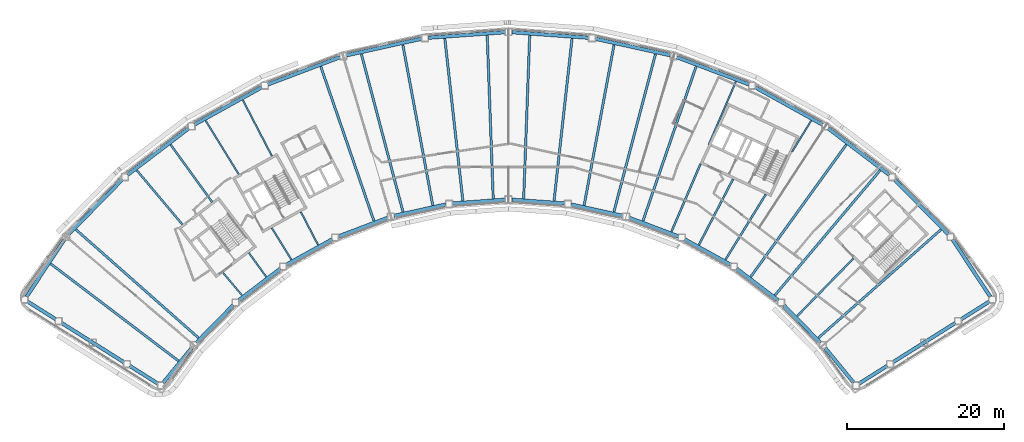
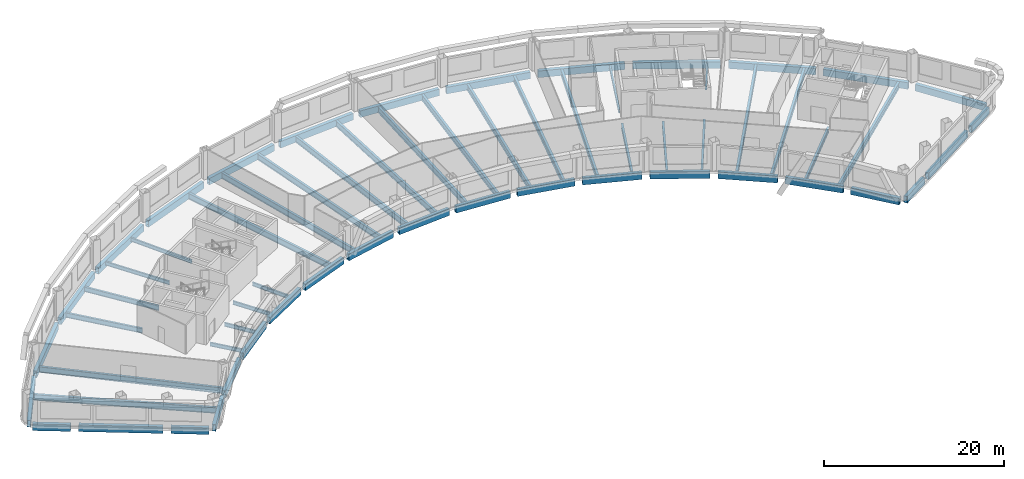
# One storey, part 3 of 12: 63 beams.
"""IFC4 building model written with IfcOpenShell, lengths in metres."""

from ifc_helpers import new_model, si_unit, direction, frame, origin, origin_2d, place, context, subcontext, project, spatial, hollow_rectangle, i_section, extrude, material, material_profile, profile_set, type_object, element, save


model = new_model("IFC4")

# Units and contexts
model_context = context("Model", 3, precision=1e-05, world=origin(), true_north=direction((0.0, 1.0)))
body_context = subcontext(model_context, "Body", "Model", "MODEL_VIEW")
ifc_project = project(units=[si_unit("LENGTHUNIT", "METRE"), si_unit("AREAUNIT", "SQUARE_METRE"), si_unit("VOLUMEUNIT", "CUBIC_METRE"), si_unit("PLANEANGLEUNIT", "RADIAN"), si_unit("MASSUNIT", "GRAM", prefix="KILO")], contexts=[model_context])

# Site, building, storey
site_placement = place(None, origin())
site = spatial("IfcSite", under=ifc_project, at=site_placement, CompositionType="ELEMENT")
building_placement = place(site_placement, origin())
building = spatial("IfcBuilding", under=site, at=building_placement, Name="Tuul Gate Civic Tower", CompositionType="ELEMENT")
storey_placement = place(building_placement, frame((0.0, 0.0, 193.10009765625)))
storey = spatial("IfcBuildingStorey", under=building, at=storey_placement, Name="Level 44", CompositionType="ELEMENT", Elevation=193.10009765625)

# Beams
ifc_material_1 = material(Name="Steel S355", Category="steel")
ifc_material_profile_1 = material_profile(ifc_material_1, i_section(OverallWidth=0.199951171875, OverallDepth=0.5, WebThickness=0.010009765625, FlangeThickness=0.01611328125, at=origin_2d()), Name="PG500x200x10x16")
ifc_profile_set_1 = profile_set([ifc_material_profile_1], Name="Steel S355")
beam_type_1 = type_object("IfcBeamType", Name="STR-FLOOR BEAM-PG500x200x10x16", PredefinedType="BEAM", material=ifc_profile_set_1)
beam_1_placement = place(storey_placement, frame((37.12646484375, -1.677734375, -0.550048828125), z_axis=(0.524844644299, 0.85119803768, 0.0), x_axis=(-0.85119803768, 0.524844644299, 0.0)))
element("IfcBeam", 1, at=beam_1_placement, inside=storey, type_object=beam_type_1, Name="Floor beam", PredefinedType="BEAM", context=body_context, shape_type="SweptSolid", body=[
    extrude(i_section(OverallWidth=0.199951171875, OverallDepth=0.5, WebThickness=0.010009765625, FlangeThickness=0.01611328125, at=origin_2d()), origin(), (0.0, 0.0, 1.0), 4.683837890625),
])
beam_2_placement = place(storey_placement, frame((26.525390625, -0.75048828125, -0.550048828125), z_axis=(0.394205580746, 0.919022284882, 0.0), x_axis=(-0.919022284882, 0.394205580746, 0.0)))
element("IfcBeam", 2, at=beam_2_placement, inside=storey, type_object=beam_type_1, Name="Floor beam", PredefinedType="BEAM", context=body_context, shape_type="SweptSolid", body=[
    extrude(i_section(OverallWidth=0.199951171875, OverallDepth=0.5, WebThickness=0.010009765625, FlangeThickness=0.01611328125, at=origin_2d()), origin(), (0.0, 0.0, 1.0), 8.748046875),
])
beam_3_placement = place(storey_placement, frame((-23.281494140625, -13.532958984375, -0.550048828125), z_axis=(-0.460788847224, 0.887509796157, 0.0), x_axis=(-0.887509796157, -0.460788847224, 0.0)))
element("IfcBeam", 3, at=beam_3_placement, inside=storey, type_object=beam_type_1, Name="Floor beam", PredefinedType="BEAM", context=body_context, shape_type="SweptSolid", body=[
    extrude(i_section(OverallWidth=0.199951171875, OverallDepth=0.5, WebThickness=0.010009765625, FlangeThickness=0.01611328125, at=origin_2d()), origin(), (0.0, 0.0, 1.0), 4.75830078125),
])
beam_4_placement = place(storey_placement, frame((-29.16162109375, -2.207275390625, -0.550048828125), z_axis=(-0.460778504814, 0.887515165787, 0.0), x_axis=(-0.887515165787, -0.460778504814, 0.0)))
element("IfcBeam", 4, at=beam_4_placement, inside=storey, type_object=beam_type_1, Name="Floor beam", PredefinedType="BEAM", context=body_context, shape_type="SweptSolid", body=[
    extrude(i_section(OverallWidth=0.199951171875, OverallDepth=0.5, WebThickness=0.010009765625, FlangeThickness=0.01611328125, at=origin_2d()), origin(), (0.0, 0.0, 1.0), 8.046630859375),
])
beam_5_placement = place(storey_placement, frame((-26.676513671875, -15.414306640625, -0.550048828125), z_axis=(-0.524841029393, 0.851200266603, 0.0), x_axis=(-0.851200266603, -0.524841029393, 0.0)))
element("IfcBeam", 5, at=beam_5_placement, inside=storey, type_object=beam_type_1, Name="Floor beam", PredefinedType="BEAM", context=body_context, shape_type="SweptSolid", body=[
    extrude(i_section(OverallWidth=0.199951171875, OverallDepth=0.5, WebThickness=0.010009765625, FlangeThickness=0.01611328125, at=origin_2d()), origin(), (0.0, 0.0, 1.0), 4.761474609375),
])
beam_6_placement = place(storey_placement, frame((-33.378662109375, -4.544677734375, -0.550048828125), z_axis=(-0.52487369229, 0.851180126143, 0.0), x_axis=(-0.851180126143, -0.52487369229, 0.0)))
element("IfcBeam", 6, at=beam_6_placement, inside=storey, type_object=beam_type_1, Name="Floor beam", PredefinedType="BEAM", context=body_context, shape_type="SweptSolid", body=[
    extrude(i_section(OverallWidth=0.199951171875, OverallDepth=0.5, WebThickness=0.010009765625, FlangeThickness=0.01611328125, at=origin_2d()), origin(), (0.0, 0.0, 1.0), 8.052001953125),
])
beam_7_placement = place(storey_placement, frame((-29.880126953125, -17.60546875, -0.550048828125), z_axis=(-0.586071028006, 0.810259680678, 0.0), x_axis=(-0.810259680678, -0.586071028006, 0.0)))
element("IfcBeam", 7, at=beam_7_placement, inside=storey, type_object=beam_type_1, Name="Floor beam", PredefinedType="BEAM", context=body_context, shape_type="SweptSolid", body=[
    extrude(i_section(OverallWidth=0.199951171875, OverallDepth=0.5, WebThickness=0.010009765625, FlangeThickness=0.01611328125, at=origin_2d()), origin(), (0.0, 0.0, 1.0), 3.776611328125),
])
beam_8_placement = place(storey_placement, frame((-32.96826171875, -19.95703125, -0.550048828125), z_axis=(-0.644139723265, 0.764907848641, 0.0), x_axis=(-0.764907848641, -0.644139723265, 0.0)))
element("IfcBeam", 8, at=beam_8_placement, inside=storey, type_object=beam_type_1, Name="Floor beam", PredefinedType="BEAM", context=body_context, shape_type="SweptSolid", body=[
    extrude(i_section(OverallWidth=0.199951171875, OverallDepth=0.5, WebThickness=0.010009765625, FlangeThickness=0.01611328125, at=origin_2d()), origin(), (0.0, 0.0, 1.0), 3.7802734375),
])
ifc_material_2 = material(Name="Steel S355", Category="steel")
ifc_material_profile_2 = material_profile(ifc_material_2, i_section(OverallWidth=0.25, OverallDepth=0.64990234375, WebThickness=0.011962890625, FlangeThickness=0.02001953125, at=origin_2d()), Name="PG650x250x12x20")
ifc_profile_set_2 = profile_set([ifc_material_profile_2], Name="Steel S355")
beam_type_2 = type_object("IfcBeamType", Name="STR-FLOOR BEAM-PG650x250x12x20", PredefinedType="BEAM", material=ifc_profile_set_2)
beam_9_placement = place(storey_placement, frame((37.78857421875, -22.6025390625, -0.625), z_axis=(0.698688167973, 0.715426337182, 0.0), x_axis=(-0.715426337182, 0.698688167973, 0.0)))
element("IfcBeam", 9, at=beam_9_placement, inside=storey, type_object=beam_type_2, Name="Floor beam", PredefinedType="BEAM", context=body_context, shape_type="SweptSolid", body=[
    extrude(i_section(OverallWidth=0.25, OverallDepth=0.64990234375, WebThickness=0.011962890625, FlangeThickness=0.02001953125, at=origin_2d()), origin(), (0.0, 0.0, 1.0), 10.297607421875),
])
beam_10_placement = place(storey_placement, frame((28.656005859375, -15.41455078125, -0.625), z_axis=(0.524868843882, 0.851183115858, 0.0), x_axis=(-0.851183115858, 0.524868843882, 0.0)))
element("IfcBeam", 10, at=beam_10_placement, inside=storey, type_object=beam_type_2, Name="Floor beam", PredefinedType="BEAM", context=body_context, shape_type="SweptSolid", body=[
    extrude(i_section(OverallWidth=0.25, OverallDepth=0.64990234375, WebThickness=0.011962890625, FlangeThickness=0.02001953125, at=origin_2d()), origin(), (0.0, 0.0, 1.0), 9.79736328125),
])
beam_11_placement = place(storey_placement, frame((25.261474609375, -13.532958984375, -0.625), z_axis=(0.460764890878, 0.887522233713, 0.0), x_axis=(-0.887522233713, 0.460764890878, 0.0)))
element("IfcBeam", 11, at=beam_11_placement, inside=storey, type_object=beam_type_2, Name="Floor beam", PredefinedType="BEAM", context=body_context, shape_type="SweptSolid", body=[
    extrude(i_section(OverallWidth=0.25, OverallDepth=0.64990234375, WebThickness=0.011962890625, FlangeThickness=0.02001953125, at=origin_2d()), origin(), (0.0, 0.0, 1.0), 9.46923828125),
])
beam_12_placement = place(storey_placement, frame((21.7666015625, -11.84521484375, -0.625), z_axis=(0.394179109601, 0.919033638968, 0.0), x_axis=(-0.919033638968, 0.394179109601, 0.0)))
element("IfcBeam", 12, at=beam_12_placement, inside=storey, type_object=beam_type_2, Name="Floor beam", PredefinedType="BEAM", context=body_context, shape_type="SweptSolid", body=[
    extrude(i_section(OverallWidth=0.25, OverallDepth=0.64990234375, WebThickness=0.011962890625, FlangeThickness=0.02001953125, at=origin_2d()), origin(), (0.0, 0.0, 1.0), 9.41259765625),
])
beam_13_placement = place(storey_placement, frame((-36.783447265625, -8.061767578125, -0.625), z_axis=(-0.586088809685, 0.810246818668, 0.0), x_axis=(-0.810246818668, -0.586088809685, 0.0)))
element("IfcBeam", 13, at=beam_13_placement, inside=storey, type_object=beam_type_2, Name="Floor beam", PredefinedType="BEAM", context=body_context, shape_type="SweptSolid", body=[
    extrude(i_section(OverallWidth=0.25, OverallDepth=0.64990234375, WebThickness=0.011962890625, FlangeThickness=0.02001953125, at=origin_2d()), origin(), (0.0, 0.0, 1.0), 9.02685546875),
])
beam_14_placement = place(storey_placement, frame((-40.5625, -10.93896484375, -0.625), z_axis=(-0.644130753202, 0.764915402368, 0.0), x_axis=(-0.764915402368, -0.644130753202, 0.0)))
element("IfcBeam", 14, at=beam_14_placement, inside=storey, type_object=beam_type_2, Name="Floor beam", PredefinedType="BEAM", context=body_context, shape_type="SweptSolid", body=[
    extrude(i_section(OverallWidth=0.25, OverallDepth=0.64990234375, WebThickness=0.011962890625, FlangeThickness=0.02001953125, at=origin_2d()), origin(), (0.0, 0.0, 1.0), 9.03515625),
])
ifc_material_3 = material(Name="Steel S355", Category="steel")
ifc_material_profile_3 = material_profile(ifc_material_3, i_section(OverallWidth=0.300048828125, OverallDepth=0.800048828125, WebThickness=0.013916015625, FlangeThickness=0.02490234375, at=origin_2d()), Name="PG800x300x14x25")
ifc_profile_set_3 = profile_set([ifc_material_profile_3], Name="Steel S355")
beam_type_3 = type_object("IfcBeamType", Name="STR-FLOOR BEAM-PG800x300x14x25", PredefinedType="BEAM", material=ifc_profile_set_3)
beam_15_placement = place(storey_placement, frame((40.505615234375, -25.375, -0.7001953125), z_axis=(0.749453243269, 0.662057275584, 0.0), x_axis=(-0.662057275584, 0.749453243269, 0.0)))
element("IfcBeam", 15, at=beam_15_placement, inside=storey, type_object=beam_type_3, Name="Floor beam", PredefinedType="BEAM", context=body_context, shape_type="SweptSolid", body=[
    extrude(i_section(OverallWidth=0.300048828125, OverallDepth=0.800048828125, WebThickness=0.013916015625, FlangeThickness=0.02490234375, at=origin_2d()), origin(), (0.0, 0.0, 1.0), 20.828369140625),
])
beam_16_placement = place(storey_placement, frame((34.9482421875, -19.95703125, -0.7001953125), z_axis=(0.644134662718, 0.76491211017, 0.0), x_axis=(-0.76491211017, 0.644134662718, 0.0)))
element("IfcBeam", 16, at=beam_16_placement, inside=storey, type_object=beam_type_3, Name="Floor beam", PredefinedType="BEAM", context=body_context, shape_type="SweptSolid", body=[
    extrude(i_section(OverallWidth=0.300048828125, OverallDepth=0.800048828125, WebThickness=0.013916015625, FlangeThickness=0.02490234375, at=origin_2d()), origin(), (0.0, 0.0, 1.0), 20.824462890625),
])
beam_17_placement = place(storey_placement, frame((31.859619140625, -17.605712890625, -0.7001953125), z_axis=(0.586088482084, 0.810247055637, 0.0), x_axis=(-0.810247055637, 0.586088482084, 0.0)))
element("IfcBeam", 17, at=beam_17_placement, inside=storey, type_object=beam_type_3, Name="Floor beam", PredefinedType="BEAM", context=body_context, shape_type="SweptSolid", body=[
    extrude(i_section(OverallWidth=0.300048828125, OverallDepth=0.800048828125, WebThickness=0.013916015625, FlangeThickness=0.02490234375, at=origin_2d()), origin(), (0.0, 0.0, 1.0), 20.805908203125),
])
beam_18_placement = place(storey_placement, frame((18.13623046875, -10.472412109375, -0.7001953125), z_axis=(0.325483363772, 0.945547767121, 0.0), x_axis=(-0.945547767121, 0.325483363772, 0.0)))
element("IfcBeam", 18, at=beam_18_placement, inside=storey, type_object=beam_type_3, Name="Floor beam", PredefinedType="BEAM", context=body_context, shape_type="SweptSolid", body=[
    extrude(i_section(OverallWidth=0.300048828125, OverallDepth=0.800048828125, WebThickness=0.013916015625, FlangeThickness=0.02490234375, at=origin_2d()), origin(), (0.0, 0.0, 1.0), 20.8095703125),
])
beam_19_placement = place(storey_placement, frame((14.428466796875, -9.325927734375, -0.7001953125), z_axis=(0.255004720301, 0.96693980817, 0.0), x_axis=(-0.96693980817, 0.255004720301, 0.0)))
element("IfcBeam", 19, at=beam_19_placement, inside=storey, type_object=beam_type_3, Name="Floor beam", PredefinedType="BEAM", context=body_context, shape_type="SweptSolid", body=[
    extrude(i_section(OverallWidth=0.300048828125, OverallDepth=0.800048828125, WebThickness=0.013916015625, FlangeThickness=0.02490234375, at=origin_2d()), origin(), (0.0, 0.0, 1.0), 20.817626953125),
])
beam_20_placement = place(storey_placement, frame((10.638427734375, -8.49072265625, -0.7001953125), z_axis=(0.183147342328, 0.98308547492, 0.0), x_axis=(-0.98308547492, 0.183147342328, 0.0)))
element("IfcBeam", 20, at=beam_20_placement, inside=storey, type_object=beam_type_3, Name="Floor beam", PredefinedType="BEAM", context=body_context, shape_type="SweptSolid", body=[
    extrude(i_section(OverallWidth=0.300048828125, OverallDepth=0.800048828125, WebThickness=0.013916015625, FlangeThickness=0.02490234375, at=origin_2d()), origin(), (0.0, 0.0, 1.0), 20.811279296875),
])
beam_21_placement = place(storey_placement, frame((6.80126953125, -7.91064453125, -0.7001953125), z_axis=(0.1102757583, 0.993901029847, 0.0), x_axis=(-0.993901029847, 0.1102757583, 0.0)))
element("IfcBeam", 21, at=beam_21_placement, inside=storey, type_object=beam_type_3, Name="Floor beam", PredefinedType="BEAM", context=body_context, shape_type="SweptSolid", body=[
    extrude(i_section(OverallWidth=0.300048828125, OverallDepth=0.800048828125, WebThickness=0.013916015625, FlangeThickness=0.02490234375, at=origin_2d()), origin(), (0.0, 0.0, 1.0), 20.815185546875),
])
for number, where, z_axis, x_axis, name in (
    (22, (2.930419921875, -7.630126953125, -0.7001953125), (0.036820332995, 0.99932190163, 0.0), (-0.99932190163, 0.036820332995, 0.0), "Floor beam"),
    (23, (-0.950439453125, -7.630126953125, -0.7001953125), (-0.036832047042, 0.999321469954, 0.0), (-0.999321469954, -0.036832047042, 0.0), "Floor beam"),
):
    element("IfcBeam", number, at=place(storey_placement, frame(where, z_axis=z_axis, x_axis=x_axis)), inside=storey, type_object=beam_type_3, Name=name, PredefinedType="BEAM", context=body_context, shape_type="SweptSolid", body=[
        extrude(i_section(OverallWidth=0.300048828125, OverallDepth=0.800048828125, WebThickness=0.013916015625, FlangeThickness=0.02490234375, at=origin_2d()), origin(), (0.0, 0.0, 1.0), 20.8134765625),
    ])
beam_22_placement = place(storey_placement, frame((-4.8212890625, -7.91064453125, -0.7001953125), z_axis=(-0.110287344613, 0.993899744249, 0.0), x_axis=(-0.993899744249, -0.110287344613, 0.0)))
element("IfcBeam", 24, at=beam_22_placement, inside=storey, type_object=beam_type_3, Name="Floor beam", PredefinedType="BEAM", context=body_context, shape_type="SweptSolid", body=[
    extrude(i_section(OverallWidth=0.300048828125, OverallDepth=0.800048828125, WebThickness=0.013916015625, FlangeThickness=0.02490234375, at=origin_2d()), origin(), (0.0, 0.0, 1.0), 20.815185546875),
])
beam_23_placement = place(storey_placement, frame((-8.658447265625, -8.49072265625, -0.7001953125), z_axis=(-0.183145230157, 0.983085868412, 0.0), x_axis=(-0.983085868412, -0.183145230157, 0.0)))
element("IfcBeam", 25, at=beam_23_placement, inside=storey, type_object=beam_type_3, Name="Floor beam", PredefinedType="BEAM", context=body_context, shape_type="SweptSolid", body=[
    extrude(i_section(OverallWidth=0.300048828125, OverallDepth=0.800048828125, WebThickness=0.013916015625, FlangeThickness=0.02490234375, at=origin_2d()), origin(), (0.0, 0.0, 1.0), 20.8115234375),
])
beam_24_placement = place(storey_placement, frame((-12.44873046875, -9.325927734375, -0.7001953125), z_axis=(-0.255004720301, 0.96693980817, 0.0), x_axis=(-0.96693980817, -0.255004720301, 0.0)))
element("IfcBeam", 26, at=beam_24_placement, inside=storey, type_object=beam_type_3, Name="Floor beam", PredefinedType="BEAM", context=body_context, shape_type="SweptSolid", body=[
    extrude(i_section(OverallWidth=0.300048828125, OverallDepth=0.800048828125, WebThickness=0.013916015625, FlangeThickness=0.02490234375, at=origin_2d()), origin(), (0.0, 0.0, 1.0), 20.817626953125),
])
beam_25_placement = place(storey_placement, frame((-16.15625, -10.47265625, -0.7001953125), z_axis=(-0.325493852911, 0.945544156408, 0.0), x_axis=(-0.945544156408, -0.325493852911, 0.0)))
element("IfcBeam", 27, at=beam_25_placement, inside=storey, type_object=beam_type_3, Name="Floor beam", PredefinedType="BEAM", context=body_context, shape_type="SweptSolid", body=[
    extrude(i_section(OverallWidth=0.300048828125, OverallDepth=0.800048828125, WebThickness=0.013916015625, FlangeThickness=0.02490234375, at=origin_2d()), origin(), (0.0, 0.0, 1.0), 20.809814453125),
])
beam_26_placement = place(storey_placement, frame((-38.525634765625, -25.375, -0.7001953125), z_axis=(-0.749453243269, 0.662057275584, 0.0), x_axis=(-0.662057275584, -0.749453243269, 0.0)))
element("IfcBeam", 28, at=beam_26_placement, inside=storey, type_object=beam_type_3, Name="Floor beam", PredefinedType="BEAM", context=body_context, shape_type="SweptSolid", body=[
    extrude(i_section(OverallWidth=0.300048828125, OverallDepth=0.800048828125, WebThickness=0.013916015625, FlangeThickness=0.02490234375, at=origin_2d()), origin(), (0.0, 0.0, 1.0), 20.828369140625),
])
beam_27_placement = place(storey_placement, frame((-41.064697265625, -28.31982421875, -0.7001953125), z_axis=(-0.796156676215, 0.60509052787, 0.0), x_axis=(-0.60509052787, -0.796156676215, 0.0)))
element("IfcBeam", 29, at=beam_27_placement, inside=storey, type_object=beam_type_3, Name="Floor beam", PredefinedType="BEAM", context=body_context, shape_type="SweptSolid", body=[
    extrude(i_section(OverallWidth=0.300048828125, OverallDepth=0.800048828125, WebThickness=0.013916015625, FlangeThickness=0.02490234375, at=origin_2d()), origin(), (0.0, 0.0, 1.0), 20.46240234375),
])
ifc_material_4 = material(Name="Steel S355", Category="steel")
ifc_material_profile_4 = material_profile(ifc_material_4, hollow_rectangle(XDim=0.449951171875, YDim=0.89990234375, WallThickness=0.02490234375, at=origin_2d()), Name="BOX900x450x25")
ifc_profile_set_4 = profile_set([ifc_material_profile_4], Name="Steel S355")
beam_type_4 = type_object("IfcBeamType", Name="STR-SPANDREL BEAM-BOX900x450x25", PredefinedType="BEAM", material=ifc_profile_set_4)
beam_28_placement = place(storey_placement, frame((62.412841796875, -20.1376953125, -0.75), z_axis=(-0.551603333342, 0.834106565521, 0.0), x_axis=(-0.834106565521, -0.551603333342, 0.0)))
element("IfcBeam", 30, at=beam_28_placement, inside=storey, type_object=beam_type_4, Name="Spandrel beam", PredefinedType="BEAM", context=body_context, shape_type="SweptSolid", body=[
    extrude(hollow_rectangle(XDim=0.449951171875, YDim=0.89990234375, WallThickness=0.02490234375, at=origin_2d()), origin(), (0.0, 0.0, 1.0), 8.706787109375),
])
beam_29_placement = place(storey_placement, frame((57.046875, -12.1787109375, -0.75), z_axis=(-0.700043201451, 0.7141004944, 0.0), x_axis=(-0.7141004944, -0.700043201451, 0.0)))
element("IfcBeam", 31, at=beam_29_placement, inside=storey, type_object=beam_type_4, Name="Spandrel beam", PredefinedType="BEAM", context=body_context, shape_type="SweptSolid", body=[
    extrude(hollow_rectangle(XDim=0.449951171875, YDim=0.89990234375, WallThickness=0.02490234375, at=origin_2d()), origin(), (0.0, 0.0, 1.0), 9.77783203125),
])
for number, where, z_axis, x_axis, name in (
    (32, (49.529052734375, -4.602294921875, -0.75), (-0.795643188576, 0.605765562303, 0.0), (-0.605765562303, -0.795643188576, 0.0), "Spandrel beam"),
    (33, (40.99853515625, 1.811279296875, -0.75), (-0.874595083596, 0.484854039634, 0.0), (-0.484854039634, -0.874595083596, 0.0), "Spandrel beam"),
):
    element("IfcBeam", number, at=place(storey_placement, frame(where, z_axis=z_axis, x_axis=x_axis)), inside=storey, type_object=beam_type_4, Name=name, PredefinedType="BEAM", context=body_context, shape_type="SweptSolid", body=[
        extrude(hollow_rectangle(XDim=0.449951171875, YDim=0.89990234375, WallThickness=0.02490234375, at=origin_2d()), origin(), (0.0, 0.0, 1.0), 9.777099609375),
    ])
beam_30_placement = place(storey_placement, frame((31.633056640625, 6.92919921875, -0.75), z_axis=(-0.935371339929, 0.353667154878, 0.0), x_axis=(-0.353667154878, -0.935371339929, 0.0)))
element("IfcBeam", 34, at=beam_30_placement, inside=storey, type_object=beam_type_4, Name="Spandrel beam", PredefinedType="BEAM", context=body_context, shape_type="SweptSolid", body=[
    extrude(hollow_rectangle(XDim=0.449951171875, YDim=0.89990234375, WallThickness=0.02490234375, at=origin_2d()), origin(), (0.0, 0.0, 1.0), 9.77685546875),
])
beam_31_placement = place(storey_placement, frame((21.62744140625, 10.642822265625, -0.75), z_axis=(-0.976570324129, 0.215198517722, 0.0), x_axis=(-0.215198517722, -0.976570324129, 0.0)))
element("IfcBeam", 35, at=beam_31_placement, inside=storey, type_object=beam_type_4, Name="Spandrel beam", PredefinedType="BEAM", context=body_context, shape_type="SweptSolid", body=[
    extrude(hollow_rectangle(XDim=0.449951171875, YDim=0.89990234375, WallThickness=0.02490234375, at=origin_2d()), origin(), (0.0, 0.0, 1.0), 9.778076171875),
])
beam_32_placement = place(storey_placement, frame((11.190185546875, 12.87646484375, -0.75), z_axis=(-0.997381821188, 0.07231530104, 0.0), x_axis=(-0.07231530104, -0.997381821188, 0.0)))
element("IfcBeam", 36, at=beam_32_placement, inside=storey, type_object=beam_type_4, Name="Spandrel beam", PredefinedType="BEAM", context=body_context, shape_type="SweptSolid", body=[
    extrude(hollow_rectangle(XDim=0.449951171875, YDim=0.89990234375, WallThickness=0.02490234375, at=origin_2d()), origin(), (0.0, 0.0, 1.0), 9.777099609375),
])
beam_33_placement = place(storey_placement, frame((0.541259765625, 13.58349609375, -0.75), z_axis=(-0.997382343448, -0.072308097597, 0.0), x_axis=(0.072308097597, -0.997382343448, 0.0)))
element("IfcBeam", 37, at=beam_33_placement, inside=storey, type_object=beam_type_4, Name="Spandrel beam", PredefinedType="BEAM", context=body_context, shape_type="SweptSolid", body=[
    extrude(hollow_rectangle(XDim=0.449951171875, YDim=0.89990234375, WallThickness=0.02490234375, at=origin_2d()), origin(), (0.0, 0.0, 1.0), 9.778076171875),
])
for number, where, z_axis, x_axis, name in (
    (38, (-10.099365234375, 12.7470703125, -0.75), (-0.976565698355, -0.215219508403, 0.0), (0.215219508403, -0.976565698355, 0.0), "Spandrel beam"),
    (39, (-20.5078125, 10.386962890625, -0.75), (-0.935374463229, -0.35365889433, 0.0), (0.35365889433, -0.935374463229, 0.0), "Spandrel beam"),
    (40, (-30.467529296875, 6.5517578125, -0.75), (-0.874595083596, -0.484854039634, 0.0), (0.484854039634, -0.874595083596, 0.0), "Spandrel beam"),
):
    element("IfcBeam", number, at=place(storey_placement, frame(where, z_axis=z_axis, x_axis=x_axis)), inside=storey, type_object=beam_type_4, Name=name, PredefinedType="BEAM", context=body_context, shape_type="SweptSolid", body=[
        extrude(hollow_rectangle(XDim=0.449951171875, YDim=0.89990234375, WallThickness=0.02490234375, at=origin_2d()), origin(), (0.0, 0.0, 1.0), 9.777099609375),
    ])
beam_34_placement = place(storey_placement, frame((-39.77001953125, 1.3203125, -0.75), z_axis=(-0.795667802621, -0.605733231606, 0.0), x_axis=(0.605733231606, -0.795667802621, 0.0)))
element("IfcBeam", 41, at=beam_34_placement, inside=storey, type_object=beam_type_4, Name="Spandrel beam", PredefinedType="BEAM", context=body_context, shape_type="SweptSolid", body=[
    extrude(hollow_rectangle(XDim=0.449951171875, YDim=0.89990234375, WallThickness=0.02490234375, at=origin_2d()), origin(), (0.0, 0.0, 1.0), 9.778076171875),
])
beam_35_placement = place(storey_placement, frame((-48.222900390625, -5.1962890625, -0.75), z_axis=(-0.699992266311, -0.714150423304, 0.0), x_axis=(0.714150423304, -0.699992266311, 0.0)))
element("IfcBeam", 42, at=beam_35_placement, inside=storey, type_object=beam_type_4, Name="Spandrel beam", PredefinedType="BEAM", context=body_context, shape_type="SweptSolid", body=[
    extrude(hollow_rectangle(XDim=0.449951171875, YDim=0.89990234375, WallThickness=0.02490234375, at=origin_2d()), origin(), (0.0, 0.0, 1.0), 9.77734375),
])
beam_36_placement = place(storey_placement, frame((-55.630126953125, -12.875244140625, -0.75), z_axis=(-0.551603333342, -0.834106565521, 0.0), x_axis=(0.834106565521, -0.551603333342, 0.0)))
element("IfcBeam", 43, at=beam_36_placement, inside=storey, type_object=beam_type_4, Name="Spandrel beam", PredefinedType="BEAM", context=body_context, shape_type="SweptSolid", body=[
    extrude(hollow_rectangle(XDim=0.449951171875, YDim=0.89990234375, WallThickness=0.02490234375, at=origin_2d()), origin(), (0.0, 0.0, 1.0), 8.706787109375),
])
beam_37_placement = place(storey_placement, frame((-60.30029296875, -20.752685546875, -0.75), z_axis=(0.846210678029, -0.53284846663, 0.0), x_axis=(0.53284846663, 0.846210678029, 0.0)))
element("IfcBeam", 44, at=beam_37_placement, inside=storey, type_object=beam_type_4, Name="Spandrel beam", PredefinedType="BEAM", context=body_context, shape_type="SweptSolid", body=[
    extrude(hollow_rectangle(XDim=0.449951171875, YDim=0.89990234375, WallThickness=0.02490234375, at=origin_2d()), origin(), (0.0, 0.0, 1.0), 4.231201171875),
])
beam_38_placement = place(storey_placement, frame((-55.958251953125, -23.48681640625, -0.75), z_axis=(0.846197569515, -0.532869283545, 0.0), x_axis=(0.532869283545, 0.846197569515, 0.0)))
element("IfcBeam", 45, at=beam_38_placement, inside=storey, type_object=beam_type_4, Name="Spandrel beam", PredefinedType="BEAM", context=body_context, shape_type="SweptSolid", body=[
    extrude(hollow_rectangle(XDim=0.449951171875, YDim=0.89990234375, WallThickness=0.02490234375, at=origin_2d()), origin(), (0.0, 0.0, 1.0), 9.363525390625),
])
beam_39_placement = place(storey_placement, frame((-47.273193359375, -28.955810546875, -0.75), z_axis=(0.846181780982, -0.532894354947, 0.0), x_axis=(0.532894354947, 0.846181780982, 0.0)))
element("IfcBeam", 46, at=beam_39_placement, inside=storey, type_object=beam_type_4, Name="Spandrel beam", PredefinedType="BEAM", context=body_context, shape_type="SweptSolid", body=[
    extrude(hollow_rectangle(XDim=0.449951171875, YDim=0.89990234375, WallThickness=0.02490234375, at=origin_2d()), origin(), (0.0, 0.0, 1.0), 4.232421875),
])
beam_40_placement = place(storey_placement, frame((-43.025634765625, -31.10302734375, -0.75), z_axis=(0.63441351957, 0.772993846151, 0.0), x_axis=(-0.772993846151, 0.63441351957, 0.0)))
element("IfcBeam", 47, at=beam_40_placement, inside=storey, type_object=beam_type_4, Name="Spandrel beam", PredefinedType="BEAM", context=body_context, shape_type="SweptSolid", body=[
    extrude(hollow_rectangle(XDim=0.449951171875, YDim=0.89990234375, WallThickness=0.02490234375, at=origin_2d()), origin(), (0.0, 0.0, 1.0), 5.751953125),
])
beam_41_placement = place(storey_placement, frame((-38.776123046875, -25.987548828125, -0.75), z_axis=(0.699975106634, 0.714167242383, 0.0), x_axis=(-0.714167242383, 0.699975106634, 0.0)))
element("IfcBeam", 48, at=beam_41_placement, inside=storey, type_object=beam_type_4, Name="Spandrel beam", PredefinedType="BEAM", context=body_context, shape_type="SweptSolid", body=[
    extrude(hollow_rectangle(XDim=0.449951171875, YDim=0.89990234375, WallThickness=0.02490234375, at=origin_2d()), origin(), (0.0, 0.0, 1.0), 6.69189453125),
])
for number, where, z_axis, x_axis, name in (
    (49, (-33.4189453125, -20.614501953125, -0.75), (0.795605051583, 0.605815650091, 0.0), (-0.605815650091, 0.795605051583, 0.0), "Spandrel beam"),
    (50, (-27.343505859375, -16.06982421875, -0.75), (0.87466619377, 0.48472574666, 0.0), (-0.48472574666, 0.87466619377, 0.0), "Spandrel beam"),
):
    element("IfcBeam", number, at=place(storey_placement, frame(where, z_axis=z_axis, x_axis=x_axis)), inside=storey, type_object=beam_type_4, Name=name, PredefinedType="BEAM", context=body_context, shape_type="SweptSolid", body=[
        extrude(hollow_rectangle(XDim=0.449951171875, YDim=0.89990234375, WallThickness=0.02490234375, at=origin_2d()), origin(), (0.0, 0.0, 1.0), 6.691650390625),
    ])
beam_42_placement = place(storey_placement, frame((-20.676025390625, -12.44873046875, -0.75), z_axis=(0.935376636167, 0.353653147184, 0.0), x_axis=(-0.353653147184, 0.935376636167, 0.0)))
element("IfcBeam", 51, at=beam_42_placement, inside=storey, type_object=beam_type_4, Name="Spandrel beam", PredefinedType="BEAM", context=body_context, shape_type="SweptSolid", body=[
    extrude(hollow_rectangle(XDim=0.449951171875, YDim=0.89990234375, WallThickness=0.02490234375, at=origin_2d()), origin(), (0.0, 0.0, 1.0), 6.69140625),
])
beam_43_placement = place(storey_placement, frame((-13.556640625, -9.826171875, -0.75), z_axis=(0.976559873442, 0.215245937437, 0.0), x_axis=(-0.215245937437, 0.976559873442, 0.0)))
element("IfcBeam", 52, at=beam_43_placement, inside=storey, type_object=beam_type_4, Name="Spandrel beam", PredefinedType="BEAM", context=body_context, shape_type="SweptSolid", body=[
    extrude(hollow_rectangle(XDim=0.449951171875, YDim=0.89990234375, WallThickness=0.02490234375, at=origin_2d()), origin(), (0.0, 0.0, 1.0), 6.692138671875),
])
beam_44_placement = place(storey_placement, frame((-6.133056640625, -8.25634765625, -0.75), z_axis=(0.997382203544, 0.07231002734, 0.0), x_axis=(-0.07231002734, 0.997382203544, 0.0)))
element("IfcBeam", 53, at=beam_44_placement, inside=storey, type_object=beam_type_4, Name="Spandrel beam", PredefinedType="BEAM", context=body_context, shape_type="SweptSolid", body=[
    extrude(hollow_rectangle(XDim=0.449951171875, YDim=0.89990234375, WallThickness=0.02490234375, at=origin_2d()), origin(), (0.0, 0.0, 1.0), 6.69189453125),
])
for number, where, z_axis, x_axis, name in (
    (54, (1.438720703125, -7.7724609375, -0.75), (0.997382394296, -0.072307396229, 0.0), (0.072307396229, 0.997382394296, 0.0), "Spandrel beam"),
    (55, (9.00146484375, -8.3857421875, -0.75), (0.976559873442, -0.215245937437, 0.0), (0.215245937437, 0.976559873442, 0.0), "Spandrel beam"),
):
    element("IfcBeam", number, at=place(storey_placement, frame(where, z_axis=z_axis, x_axis=x_axis)), inside=storey, type_object=beam_type_4, Name=name, PredefinedType="BEAM", context=body_context, shape_type="SweptSolid", body=[
        extrude(hollow_rectangle(XDim=0.449951171875, YDim=0.89990234375, WallThickness=0.02490234375, at=origin_2d()), origin(), (0.0, 0.0, 1.0), 6.692138671875),
    ])
beam_45_placement = place(storey_placement, frame((16.39697265625, -10.082275390625, -0.75), z_axis=(0.935376636167, -0.353653147184, 0.0), x_axis=(0.353653147184, 0.935376636167, 0.0)))
element("IfcBeam", 56, at=beam_45_placement, inside=storey, type_object=beam_type_4, Name="Spandrel beam", PredefinedType="BEAM", context=body_context, shape_type="SweptSolid", body=[
    extrude(hollow_rectangle(XDim=0.449951171875, YDim=0.89990234375, WallThickness=0.02490234375, at=origin_2d()), origin(), (0.0, 0.0, 1.0), 6.69140625),
])
beam_46_placement = place(storey_placement, frame((23.470458984375, -12.826171875, -0.75), z_axis=(0.874631898268, -0.484787626216, 0.0), x_axis=(0.484787626216, 0.874631898268, 0.0)))
element("IfcBeam", 57, at=beam_46_placement, inside=storey, type_object=beam_type_4, Name="Spandrel beam", PredefinedType="BEAM", context=body_context, shape_type="SweptSolid", body=[
    extrude(hollow_rectangle(XDim=0.449951171875, YDim=0.89990234375, WallThickness=0.02490234375, at=origin_2d()), origin(), (0.0, 0.0, 1.0), 6.69091796875),
])
beam_47_placement = place(storey_placement, frame((30.073974609375, -16.560546875, -0.75), z_axis=(0.795658602504, -0.605745316335, 0.0), x_axis=(0.605745316335, 0.795658602504, 0.0)))
element("IfcBeam", 58, at=beam_47_placement, inside=storey, type_object=beam_type_4, Name="Spandrel beam", PredefinedType="BEAM", context=body_context, shape_type="SweptSolid", body=[
    extrude(hollow_rectangle(XDim=0.449951171875, YDim=0.89990234375, WallThickness=0.02490234375, at=origin_2d()), origin(), (0.0, 0.0, 1.0), 6.692626953125),
])
beam_48_placement = place(storey_placement, frame((36.072021484375, -21.20849609375, -0.75), z_axis=(0.699975106634, -0.714167242383, 0.0), x_axis=(0.714167242383, 0.699975106634, 0.0)))
element("IfcBeam", 59, at=beam_48_placement, inside=storey, type_object=beam_type_4, Name="Spandrel beam", PredefinedType="BEAM", context=body_context, shape_type="SweptSolid", body=[
    extrude(hollow_rectangle(XDim=0.449951171875, YDim=0.89990234375, WallThickness=0.02490234375, at=origin_2d()), origin(), (0.0, 0.0, 1.0), 6.69189453125),
])
beam_49_placement = place(storey_placement, frame((41.3564453125, -26.65673828125, -0.75), z_axis=(0.63441351957, -0.772993846151, 0.0), x_axis=(0.772993846151, 0.63441351957, 0.0)))
element("IfcBeam", 60, at=beam_49_placement, inside=storey, type_object=beam_type_4, Name="Spandrel beam", PredefinedType="BEAM", context=body_context, shape_type="SweptSolid", body=[
    extrude(hollow_rectangle(XDim=0.449951171875, YDim=0.89990234375, WallThickness=0.02490234375, at=origin_2d()), origin(), (0.0, 0.0, 1.0), 5.751953125),
])
beam_50_placement = place(storey_placement, frame((45.671875, -31.211181640625, -0.75), z_axis=(0.846116237034, 0.532998417847, 0.0), x_axis=(-0.532998417847, 0.846116237034, 0.0)))
element("IfcBeam", 61, at=beam_50_placement, inside=storey, type_object=beam_type_4, Name="Spandrel beam", PredefinedType="BEAM", context=body_context, shape_type="SweptSolid", body=[
    extrude(hollow_rectangle(XDim=0.449951171875, YDim=0.89990234375, WallThickness=0.02490234375, at=origin_2d()), origin(), (0.0, 0.0, 1.0), 4.2314453125),
])
beam_51_placement = place(storey_placement, frame((50.013671875, -28.476318359375, -0.75), z_axis=(0.846204972904, 0.532857526767, 0.0), x_axis=(-0.532857526767, 0.846204972904, 0.0)))
element("IfcBeam", 62, at=beam_51_placement, inside=storey, type_object=beam_type_4, Name="Spandrel beam", PredefinedType="BEAM", context=body_context, shape_type="SweptSolid", body=[
    extrude(hollow_rectangle(XDim=0.449951171875, YDim=0.89990234375, WallThickness=0.02490234375, at=origin_2d()), origin(), (0.0, 0.0, 1.0), 9.36376953125),
])
beam_52_placement = place(storey_placement, frame((58.69873046875, -23.00732421875, -0.75), z_axis=(0.846276187944, 0.532744416882, 0.0), x_axis=(-0.532744416882, 0.846276187944, 0.0)))
element("IfcBeam", 63, at=beam_52_placement, inside=storey, type_object=beam_type_4, Name="Spandrel beam", PredefinedType="BEAM", context=body_context, shape_type="SweptSolid", body=[
    extrude(hollow_rectangle(XDim=0.449951171875, YDim=0.89990234375, WallThickness=0.02490234375, at=origin_2d()), origin(), (0.0, 0.0, 1.0), 4.232177734375),
])

save(model, "model.ifc")
